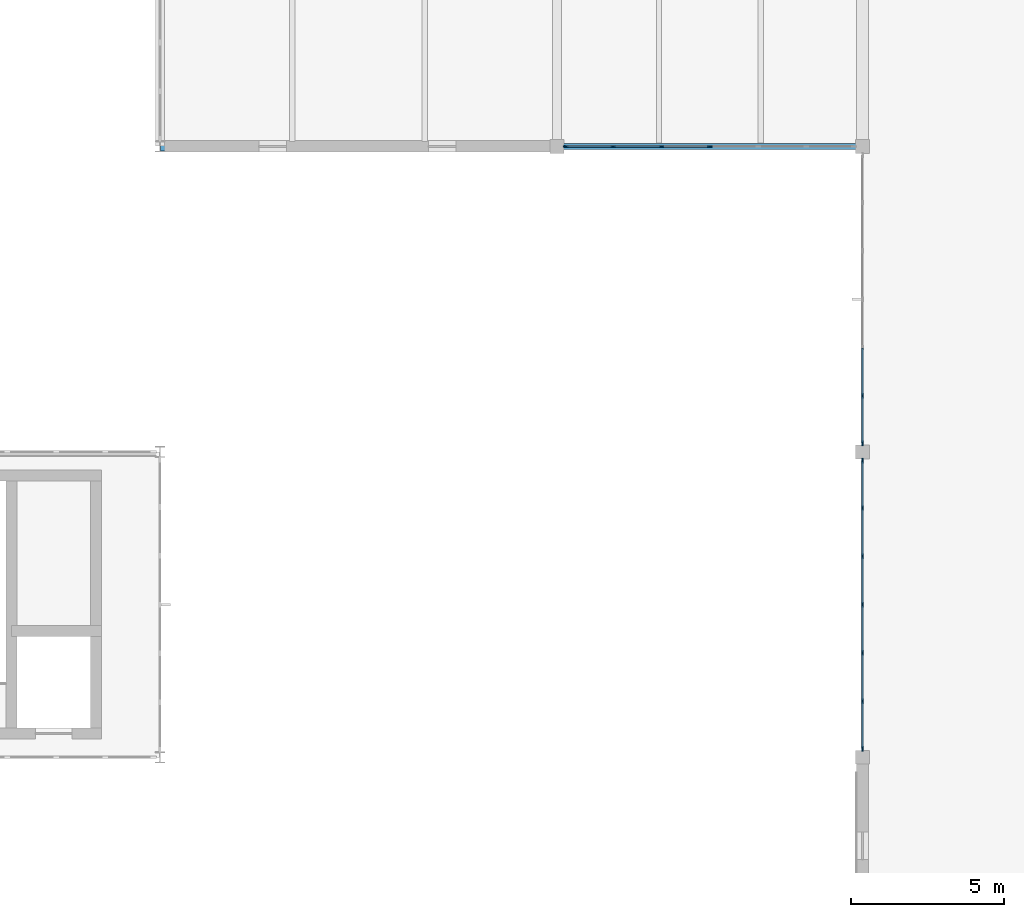
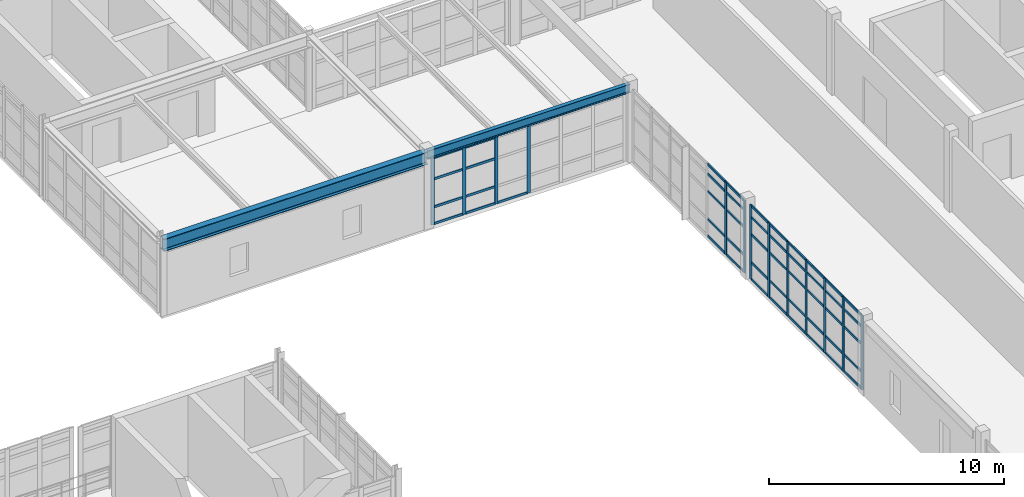
# One storey, part 63 of 122: 62 members, 2 beams, 3 elements without a shape of their own.
"""IFC4 building model written with IfcOpenShell, lengths in metres."""

from ifc_helpers import new_model, si_unit, direction, frame, origin, origin_2d, place, context, subcontext, project, spatial, rectangle, i_section, extrude, material, layer, layer_set, material_profile, profile_set, type_object, element, aggregate, save


model = new_model("IFC4")

# Units and contexts
model_context = context("Model", 3, precision=1e-05, world=origin(), true_north=direction((0.0, 1.0)))
body_context = subcontext(model_context, "Body", "Model", "MODEL_VIEW")
ifc_project = project(units=[si_unit("LENGTHUNIT", "METRE"), si_unit("AREAUNIT", "SQUARE_METRE"), si_unit("VOLUMEUNIT", "CUBIC_METRE"), si_unit("PLANEANGLEUNIT", "RADIAN"), si_unit("MASSUNIT", "GRAM", prefix="KILO"), si_unit("THERMODYNAMICTEMPERATUREUNIT", "KELVIN"), si_unit("POWERUNIT", "WATT")], contexts=[model_context])

# Site, building, storey
site_placement = place(None, origin())
site = spatial("IfcSite", under=ifc_project, at=site_placement, CompositionType="ELEMENT")
building_placement = place(site_placement, origin())
building = spatial("IfcBuilding", under=site, at=building_placement, Name="Korenveer Ferry Terminal", CompositionType="ELEMENT")
storey_placement = place(building_placement, frame((0.0, 0.0, 10.199951171875)))
storey = spatial("IfcBuildingStorey", under=building, at=storey_placement, Name="L02", CompositionType="ELEMENT", Elevation=10.199951171875)

# Curtain wall, members
ifc_material_1 = material(Name="Unitised bronze-and-glass curtain wall", Category="glass")
ifc_layer_1 = layer(ifc_material_1, 0.159912109375)
ifc_layer_set_1 = layer_set([ifc_layer_1], Name="Unitised bronze-and-glass curtain wall")
curtain_wall_type_1 = type_object("IfcCurtainWallType", Name="ENV-CW-89", PredefinedType="USERDEFINED", material=ifc_layer_set_1)
curtain_wall_1_placement = place(storey_placement, frame((136.2548828125, 70.0, 0.0)))
curtain_wall_1 = element("IfcCurtainWall", 1, at=curtain_wall_1_placement, inside=storey, type_object=curtain_wall_type_1, Name="Lancet curtain wall CWX-L02-X136-146-Y70-70", ObjectType="UNITISED CURTAIN WALL", PredefinedType="USERDEFINED")
ifc_material_2 = material(Name="Anodised bronze aluminium", Category="aluminium")
ifc_material_profile_1 = material_profile(ifc_material_2, rectangle(XDim=0.06005859375, YDim=0.159912109375, at=origin_2d()), Name="ALU 60x160")
ifc_profile_set_1 = profile_set([ifc_material_profile_1], Name="Anodised bronze aluminium")
member_type_1 = type_object("IfcMemberType", Name="ENV-CWM-60X160", PredefinedType="MULLION", material=ifc_profile_set_1)
member_1_placement = place(storey_placement, frame((136.284912109375, 70.0, 0.0), z_axis=(0.0, 0.0, 1.0), x_axis=(0.0, 1.0, 0.0)))
member_1 = element("IfcMember", 2, at=member_1_placement, type_object=member_type_1, Name="CW-89 mullion 1", PredefinedType="MULLION", context=body_context, shape_type="SweptSolid", body=[
    extrude(rectangle(XDim=0.06005859375, YDim=0.159912109375, at=origin_2d()), origin(), (0.0, 0.0, 1.0), 3.47998046875),
])
member_2_placement = place(storey_placement, frame((137.836669921875, 70.0, 0.0), z_axis=(0.0, 0.0, 1.0), x_axis=(0.0, 1.0, 0.0)))
member_2 = element("IfcMember", 3, at=member_2_placement, type_object=member_type_1, Name="CW-89 mullion 2", PredefinedType="MULLION", context=body_context, shape_type="SweptSolid", body=[
    extrude(rectangle(XDim=0.06005859375, YDim=0.159912109375, at=origin_2d()), origin(), (0.0, 0.0, 1.0), 3.47998046875),
])
member_3_placement = place(storey_placement, frame((139.418212890625, 70.0, 0.0), z_axis=(0.0, 0.0, 1.0), x_axis=(0.0, 1.0, 0.0)))
member_3 = element("IfcMember", 4, at=member_3_placement, type_object=member_type_1, Name="CW-89 mullion 3", PredefinedType="MULLION", context=body_context, shape_type="SweptSolid", body=[
    extrude(rectangle(XDim=0.06005859375, YDim=0.159912109375, at=origin_2d()), origin(), (0.0, 0.0, 1.0), 3.47998046875),
])
member_4_placement = place(storey_placement, frame((141.0, 70.0, 0.0), z_axis=(0.0, 0.0, 1.0), x_axis=(0.0, 1.0, 0.0)))
member_4 = element("IfcMember", 5, at=member_4_placement, type_object=member_type_1, Name="CW-89 mullion 4", PredefinedType="MULLION", context=body_context, shape_type="SweptSolid", body=[
    extrude(rectangle(XDim=0.06005859375, YDim=0.159912109375, at=origin_2d()), origin(), (0.0, 0.0, 1.0), 3.47998046875),
])

ifc_layer_2 = layer(ifc_material_1, 0.159912109375)
ifc_layer_set_2 = layer_set([ifc_layer_2], Name="Unitised bronze-and-glass curtain wall")
curtain_wall_type_2 = type_object("IfcCurtainWallType", Name="ENV-CW-86", PredefinedType="USERDEFINED", material=ifc_layer_set_2)
curtain_wall_2_placement = place(storey_placement, frame((146.0, 50.2548828125, 0.0)))
curtain_wall_2 = element("IfcCurtainWall", 6, at=curtain_wall_2_placement, inside=storey, type_object=curtain_wall_type_2, Name="Lancet curtain wall CWX-L02-X146-146-Y50-60", ObjectType="UNITISED CURTAIN WALL", PredefinedType="USERDEFINED")
member_5_placement = place(storey_placement, frame((146.0, 50.284912109375, 0.0), z_axis=(0.0, 0.0, 1.0), x_axis=(-1.0, 0.0, 0.0)))
member_5 = element("IfcMember", 7, at=member_5_placement, type_object=member_type_1, Name="CW-86 mullion 1", PredefinedType="MULLION", context=body_context, shape_type="SweptSolid", body=[
    extrude(rectangle(XDim=0.06005859375, YDim=0.159912109375, at=origin_2d()), origin(), (0.0, 0.0, 1.0), 3.860107421875),
])
member_6_placement = place(storey_placement, frame((146.0, 51.836669921875, 0.0), z_axis=(0.0, 0.0, 1.0), x_axis=(-1.0, 0.0, 0.0)))
member_6 = element("IfcMember", 8, at=member_6_placement, type_object=member_type_1, Name="CW-86 mullion 2", PredefinedType="MULLION", context=body_context, shape_type="SweptSolid", body=[
    extrude(rectangle(XDim=0.06005859375, YDim=0.159912109375, at=origin_2d()), origin(), (0.0, 0.0, 1.0), 3.860107421875),
])
member_7_placement = place(storey_placement, frame((146.0, 53.418212890625, 0.0), z_axis=(0.0, 0.0, 1.0), x_axis=(-1.0, 0.0, 0.0)))
member_7 = element("IfcMember", 9, at=member_7_placement, type_object=member_type_1, Name="CW-86 mullion 3", PredefinedType="MULLION", context=body_context, shape_type="SweptSolid", body=[
    extrude(rectangle(XDim=0.06005859375, YDim=0.159912109375, at=origin_2d()), origin(), (0.0, 0.0, 1.0), 3.860107421875),
])
member_8_placement = place(storey_placement, frame((146.0, 55.0, 0.0), z_axis=(0.0, 0.0, 1.0), x_axis=(-1.0, 0.0, 0.0)))
member_8 = element("IfcMember", 10, at=member_8_placement, type_object=member_type_1, Name="CW-86 mullion 4", PredefinedType="MULLION", context=body_context, shape_type="SweptSolid", body=[
    extrude(rectangle(XDim=0.06005859375, YDim=0.159912109375, at=origin_2d()), origin(), (0.0, 0.0, 1.0), 3.860107421875),
])
member_9_placement = place(storey_placement, frame((146.0, 56.581787109375, 0.0), z_axis=(0.0, 0.0, 1.0), x_axis=(-1.0, 0.0, 0.0)))
member_9 = element("IfcMember", 11, at=member_9_placement, type_object=member_type_1, Name="CW-86 mullion 5", PredefinedType="MULLION", context=body_context, shape_type="SweptSolid", body=[
    extrude(rectangle(XDim=0.06005859375, YDim=0.159912109375, at=origin_2d()), origin(), (0.0, 0.0, 1.0), 3.860107421875),
])
member_10_placement = place(storey_placement, frame((146.0, 58.163330078125, 0.0), z_axis=(0.0, 0.0, 1.0), x_axis=(-1.0, 0.0, 0.0)))
member_10 = element("IfcMember", 12, at=member_10_placement, type_object=member_type_1, Name="CW-86 mullion 6", PredefinedType="MULLION", context=body_context, shape_type="SweptSolid", body=[
    extrude(rectangle(XDim=0.06005859375, YDim=0.159912109375, at=origin_2d()), origin(), (0.0, 0.0, 1.0), 3.860107421875),
])
member_11_placement = place(storey_placement, frame((146.0, 59.715087890625, 0.0), z_axis=(0.0, 0.0, 1.0), x_axis=(-1.0, 0.0, 0.0)))
member_11 = element("IfcMember", 13, at=member_11_placement, type_object=member_type_1, Name="CW-86 mullion 7", PredefinedType="MULLION", context=body_context, shape_type="SweptSolid", body=[
    extrude(rectangle(XDim=0.06005859375, YDim=0.159912109375, at=origin_2d()), origin(), (0.0, 0.0, 1.0), 3.860107421875),
])

ifc_layer_3 = layer(ifc_material_1, 0.159912109375)
ifc_layer_set_3 = layer_set([ifc_layer_3], Name="Unitised bronze-and-glass curtain wall")
curtain_wall_type_3 = type_object("IfcCurtainWallType", Name="ENV-CW-87", PredefinedType="USERDEFINED", material=ifc_layer_set_3)
curtain_wall_3_placement = place(storey_placement, frame((146.0, 60.2548828125, 0.0)))
curtain_wall_3 = element("IfcCurtainWall", 14, at=curtain_wall_3_placement, inside=storey, type_object=curtain_wall_type_3, Name="Lancet curtain wall CWX-L02-X146-146-Y60-70", ObjectType="UNITISED CURTAIN WALL", PredefinedType="USERDEFINED")
member_12_placement = place(storey_placement, frame((146.0, 60.284912109375, 0.0), z_axis=(0.0, 0.0, 1.0), x_axis=(-1.0, 0.0, 0.0)))
member_12 = element("IfcMember", 15, at=member_12_placement, type_object=member_type_1, Name="CW-87 mullion 1", PredefinedType="MULLION", context=body_context, shape_type="SweptSolid", body=[
    extrude(rectangle(XDim=0.06005859375, YDim=0.159912109375, at=origin_2d()), origin(), (0.0, 0.0, 1.0), 3.760009765625),
])
member_13_placement = place(storey_placement, frame((146.0, 61.836669921875, 0.0), z_axis=(0.0, 0.0, 1.0), x_axis=(-1.0, 0.0, 0.0)))
member_13 = element("IfcMember", 16, at=member_13_placement, type_object=member_type_1, Name="CW-87 mullion 2", PredefinedType="MULLION", context=body_context, shape_type="SweptSolid", body=[
    extrude(rectangle(XDim=0.06005859375, YDim=0.159912109375, at=origin_2d()), origin(), (0.0, 0.0, 1.0), 3.760009765625),
])

# Member
ifc_material_profile_2 = material_profile(ifc_material_2, rectangle(XDim=0.06005859375, YDim=0.1201171875, at=origin_2d()), Name="ALU 60x120")
ifc_profile_set_2 = profile_set([ifc_material_profile_2], Name="Anodised bronze aluminium")
member_type_2 = type_object("IfcMemberType", Name="ENV-CWT-60X120", PredefinedType="USERDEFINED", material=ifc_profile_set_2)
member_14_placement = place(storey_placement, frame((136.31494140625, 70.0, 0.030029296875), z_axis=(1.0, 0.0, 0.0), x_axis=(0.0, 1.0, 0.0)))
member_14 = element("IfcMember", 17, at=member_14_placement, type_object=member_type_2, Name="CW-89 transom 1.1", ObjectType="TRANSOM", PredefinedType="USERDEFINED", context=body_context, shape_type="SweptSolid", body=[
    extrude(rectangle(XDim=0.06005859375, YDim=0.1201171875, at=origin_2d()), origin(), (0.0, 0.0, 1.0), 1.49169921875),
])

member_15_placement = place(storey_placement, frame((136.31494140625, 70.0, 0.900146484375), z_axis=(1.0, 0.0, 0.0), x_axis=(0.0, 1.0, 0.0)))
member_15 = element("IfcMember", 18, at=member_15_placement, type_object=member_type_2, Name="CW-89 transom 1.2", ObjectType="TRANSOM", PredefinedType="USERDEFINED", context=body_context, shape_type="SweptSolid", body=[
    extrude(rectangle(XDim=0.06005859375, YDim=0.1201171875, at=origin_2d()), origin(), (0.0, 0.0, 1.0), 1.49169921875),
])

member_16_placement = place(storey_placement, frame((136.31494140625, 70.0, 2.35009765625), z_axis=(1.0, 0.0, 0.0), x_axis=(0.0, 1.0, 0.0)))
member_16 = element("IfcMember", 19, at=member_16_placement, type_object=member_type_2, Name="CW-89 transom 1.3", ObjectType="TRANSOM", PredefinedType="USERDEFINED", context=body_context, shape_type="SweptSolid", body=[
    extrude(rectangle(XDim=0.06005859375, YDim=0.1201171875, at=origin_2d()), origin(), (0.0, 0.0, 1.0), 1.49169921875),
])

member_17_placement = place(storey_placement, frame((136.31494140625, 70.0, 3.449951171875), z_axis=(1.0, 0.0, 0.0), x_axis=(0.0, 1.0, 0.0)))
member_17 = element("IfcMember", 20, at=member_17_placement, type_object=member_type_2, Name="CW-89 transom 1.4", ObjectType="TRANSOM", PredefinedType="USERDEFINED", context=body_context, shape_type="SweptSolid", body=[
    extrude(rectangle(XDim=0.06005859375, YDim=0.1201171875, at=origin_2d()), origin(), (0.0, 0.0, 1.0), 1.49169921875),
])

member_18_placement = place(storey_placement, frame((137.86669921875, 70.0, 0.030029296875), z_axis=(1.0, 0.0, 0.0), x_axis=(0.0, 1.0, 0.0)))
member_18 = element("IfcMember", 21, at=member_18_placement, type_object=member_type_2, Name="CW-89 transom 2.1", ObjectType="TRANSOM", PredefinedType="USERDEFINED", context=body_context, shape_type="SweptSolid", body=[
    extrude(rectangle(XDim=0.06005859375, YDim=0.1201171875, at=origin_2d()), origin(), (0.0, 0.0, 1.0), 1.521728515625),
])

member_19_placement = place(storey_placement, frame((137.86669921875, 70.0, 0.900146484375), z_axis=(1.0, 0.0, 0.0), x_axis=(0.0, 1.0, 0.0)))
member_19 = element("IfcMember", 22, at=member_19_placement, type_object=member_type_2, Name="CW-89 transom 2.2", ObjectType="TRANSOM", PredefinedType="USERDEFINED", context=body_context, shape_type="SweptSolid", body=[
    extrude(rectangle(XDim=0.06005859375, YDim=0.1201171875, at=origin_2d()), origin(), (0.0, 0.0, 1.0), 1.521728515625),
])

member_20_placement = place(storey_placement, frame((137.86669921875, 70.0, 2.35009765625), z_axis=(1.0, 0.0, 0.0), x_axis=(0.0, 1.0, 0.0)))
member_20 = element("IfcMember", 23, at=member_20_placement, type_object=member_type_2, Name="CW-89 transom 2.3", ObjectType="TRANSOM", PredefinedType="USERDEFINED", context=body_context, shape_type="SweptSolid", body=[
    extrude(rectangle(XDim=0.06005859375, YDim=0.1201171875, at=origin_2d()), origin(), (0.0, 0.0, 1.0), 1.521728515625),
])

member_21_placement = place(storey_placement, frame((137.86669921875, 70.0, 3.449951171875), z_axis=(1.0, 0.0, 0.0), x_axis=(0.0, 1.0, 0.0)))
member_21 = element("IfcMember", 24, at=member_21_placement, type_object=member_type_2, Name="CW-89 transom 2.4", ObjectType="TRANSOM", PredefinedType="USERDEFINED", context=body_context, shape_type="SweptSolid", body=[
    extrude(rectangle(XDim=0.06005859375, YDim=0.1201171875, at=origin_2d()), origin(), (0.0, 0.0, 1.0), 1.521728515625),
])

member_22_placement = place(storey_placement, frame((139.4482421875, 70.0, 0.030029296875), z_axis=(1.0, 0.0, 0.0), x_axis=(0.0, 1.0, 0.0)))
member_22 = element("IfcMember", 25, at=member_22_placement, type_object=member_type_2, Name="CW-89 transom 3.1", ObjectType="TRANSOM", PredefinedType="USERDEFINED", context=body_context, shape_type="SweptSolid", body=[
    extrude(rectangle(XDim=0.06005859375, YDim=0.1201171875, at=origin_2d()), origin(), (0.0, 0.0, 1.0), 1.521728515625),
])

aggregate(curtain_wall_1, [member_1, member_2, member_3, member_4, member_14, member_15, member_16, member_17, member_18, member_19, member_20, member_21, member_22])

member_23_placement = place(storey_placement, frame((146.0, 50.31494140625, 0.030029296875), z_axis=(0.0, 1.0, 0.0), x_axis=(-1.0, 0.0, 0.0)))
member_23 = element("IfcMember", 26, at=member_23_placement, type_object=member_type_2, Name="CW-86 transom 1.1", ObjectType="TRANSOM", PredefinedType="USERDEFINED", context=body_context, shape_type="SweptSolid", body=[
    extrude(rectangle(XDim=0.06005859375, YDim=0.1201171875, at=origin_2d()), origin(), (0.0, 0.0, 1.0), 1.49169921875),
])

member_24_placement = place(storey_placement, frame((146.0, 50.31494140625, 0.900146484375), z_axis=(0.0, 1.0, 0.0), x_axis=(-1.0, 0.0, 0.0)))
member_24 = element("IfcMember", 27, at=member_24_placement, type_object=member_type_2, Name="CW-86 transom 1.2", ObjectType="TRANSOM", PredefinedType="USERDEFINED", context=body_context, shape_type="SweptSolid", body=[
    extrude(rectangle(XDim=0.06005859375, YDim=0.1201171875, at=origin_2d()), origin(), (0.0, 0.0, 1.0), 1.49169921875),
])

member_25_placement = place(storey_placement, frame((146.0, 50.31494140625, 2.35009765625), z_axis=(0.0, 1.0, 0.0), x_axis=(-1.0, 0.0, 0.0)))
member_25 = element("IfcMember", 28, at=member_25_placement, type_object=member_type_2, Name="CW-86 transom 1.3", ObjectType="TRANSOM", PredefinedType="USERDEFINED", context=body_context, shape_type="SweptSolid", body=[
    extrude(rectangle(XDim=0.06005859375, YDim=0.1201171875, at=origin_2d()), origin(), (0.0, 0.0, 1.0), 1.49169921875),
])

member_26_placement = place(storey_placement, frame((146.0, 50.31494140625, 3.25), z_axis=(0.0, 1.0, 0.0), x_axis=(-1.0, 0.0, 0.0)))
member_26 = element("IfcMember", 29, at=member_26_placement, type_object=member_type_2, Name="CW-86 transom 1.4", ObjectType="TRANSOM", PredefinedType="USERDEFINED", context=body_context, shape_type="SweptSolid", body=[
    extrude(rectangle(XDim=0.06005859375, YDim=0.1201171875, at=origin_2d()), origin(), (0.0, 0.0, 1.0), 1.49169921875),
])

member_27_placement = place(storey_placement, frame((146.0, 50.31494140625, 3.830078125), z_axis=(0.0, 1.0, 0.0), x_axis=(-1.0, 0.0, 0.0)))
member_27 = element("IfcMember", 30, at=member_27_placement, type_object=member_type_2, Name="CW-86 transom 1.5", ObjectType="TRANSOM", PredefinedType="USERDEFINED", context=body_context, shape_type="SweptSolid", body=[
    extrude(rectangle(XDim=0.06005859375, YDim=0.1201171875, at=origin_2d()), origin(), (0.0, 0.0, 1.0), 1.49169921875),
])

member_28_placement = place(storey_placement, frame((146.0, 51.86669921875, 0.030029296875), z_axis=(0.0, 1.0, 0.0), x_axis=(-1.0, 0.0, 0.0)))
member_28 = element("IfcMember", 31, at=member_28_placement, type_object=member_type_2, Name="CW-86 transom 2.1", ObjectType="TRANSOM", PredefinedType="USERDEFINED", context=body_context, shape_type="SweptSolid", body=[
    extrude(rectangle(XDim=0.06005859375, YDim=0.1201171875, at=origin_2d()), origin(), (0.0, 0.0, 1.0), 1.521728515625),
])

member_29_placement = place(storey_placement, frame((146.0, 51.86669921875, 0.900146484375), z_axis=(0.0, 1.0, 0.0), x_axis=(-1.0, 0.0, 0.0)))
member_29 = element("IfcMember", 32, at=member_29_placement, type_object=member_type_2, Name="CW-86 transom 2.2", ObjectType="TRANSOM", PredefinedType="USERDEFINED", context=body_context, shape_type="SweptSolid", body=[
    extrude(rectangle(XDim=0.06005859375, YDim=0.1201171875, at=origin_2d()), origin(), (0.0, 0.0, 1.0), 1.521728515625),
])

member_30_placement = place(storey_placement, frame((146.0, 51.86669921875, 2.35009765625), z_axis=(0.0, 1.0, 0.0), x_axis=(-1.0, 0.0, 0.0)))
member_30 = element("IfcMember", 33, at=member_30_placement, type_object=member_type_2, Name="CW-86 transom 2.3", ObjectType="TRANSOM", PredefinedType="USERDEFINED", context=body_context, shape_type="SweptSolid", body=[
    extrude(rectangle(XDim=0.06005859375, YDim=0.1201171875, at=origin_2d()), origin(), (0.0, 0.0, 1.0), 1.521728515625),
])

member_31_placement = place(storey_placement, frame((146.0, 51.86669921875, 3.25), z_axis=(0.0, 1.0, 0.0), x_axis=(-1.0, 0.0, 0.0)))
member_31 = element("IfcMember", 34, at=member_31_placement, type_object=member_type_2, Name="CW-86 transom 2.4", ObjectType="TRANSOM", PredefinedType="USERDEFINED", context=body_context, shape_type="SweptSolid", body=[
    extrude(rectangle(XDim=0.06005859375, YDim=0.1201171875, at=origin_2d()), origin(), (0.0, 0.0, 1.0), 1.521728515625),
])

member_32_placement = place(storey_placement, frame((146.0, 51.86669921875, 3.830078125), z_axis=(0.0, 1.0, 0.0), x_axis=(-1.0, 0.0, 0.0)))
member_32 = element("IfcMember", 35, at=member_32_placement, type_object=member_type_2, Name="CW-86 transom 2.5", ObjectType="TRANSOM", PredefinedType="USERDEFINED", context=body_context, shape_type="SweptSolid", body=[
    extrude(rectangle(XDim=0.06005859375, YDim=0.1201171875, at=origin_2d()), origin(), (0.0, 0.0, 1.0), 1.521728515625),
])

member_33_placement = place(storey_placement, frame((146.0, 53.4482421875, 0.030029296875), z_axis=(0.0, 1.0, 0.0), x_axis=(-1.0, 0.0, 0.0)))
member_33 = element("IfcMember", 36, at=member_33_placement, type_object=member_type_2, Name="CW-86 transom 3.1", ObjectType="TRANSOM", PredefinedType="USERDEFINED", context=body_context, shape_type="SweptSolid", body=[
    extrude(rectangle(XDim=0.06005859375, YDim=0.1201171875, at=origin_2d()), origin(), (0.0, 0.0, 1.0), 1.521728515625),
])

member_34_placement = place(storey_placement, frame((146.0, 53.4482421875, 0.900146484375), z_axis=(0.0, 1.0, 0.0), x_axis=(-1.0, 0.0, 0.0)))
member_34 = element("IfcMember", 37, at=member_34_placement, type_object=member_type_2, Name="CW-86 transom 3.2", ObjectType="TRANSOM", PredefinedType="USERDEFINED", context=body_context, shape_type="SweptSolid", body=[
    extrude(rectangle(XDim=0.06005859375, YDim=0.1201171875, at=origin_2d()), origin(), (0.0, 0.0, 1.0), 1.521728515625),
])

member_35_placement = place(storey_placement, frame((146.0, 53.4482421875, 2.35009765625), z_axis=(0.0, 1.0, 0.0), x_axis=(-1.0, 0.0, 0.0)))
member_35 = element("IfcMember", 38, at=member_35_placement, type_object=member_type_2, Name="CW-86 transom 3.3", ObjectType="TRANSOM", PredefinedType="USERDEFINED", context=body_context, shape_type="SweptSolid", body=[
    extrude(rectangle(XDim=0.06005859375, YDim=0.1201171875, at=origin_2d()), origin(), (0.0, 0.0, 1.0), 1.521728515625),
])

member_36_placement = place(storey_placement, frame((146.0, 53.4482421875, 3.25), z_axis=(0.0, 1.0, 0.0), x_axis=(-1.0, 0.0, 0.0)))
member_36 = element("IfcMember", 39, at=member_36_placement, type_object=member_type_2, Name="CW-86 transom 3.4", ObjectType="TRANSOM", PredefinedType="USERDEFINED", context=body_context, shape_type="SweptSolid", body=[
    extrude(rectangle(XDim=0.06005859375, YDim=0.1201171875, at=origin_2d()), origin(), (0.0, 0.0, 1.0), 1.521728515625),
])

member_37_placement = place(storey_placement, frame((146.0, 53.4482421875, 3.830078125), z_axis=(0.0, 1.0, 0.0), x_axis=(-1.0, 0.0, 0.0)))
member_37 = element("IfcMember", 40, at=member_37_placement, type_object=member_type_2, Name="CW-86 transom 3.5", ObjectType="TRANSOM", PredefinedType="USERDEFINED", context=body_context, shape_type="SweptSolid", body=[
    extrude(rectangle(XDim=0.06005859375, YDim=0.1201171875, at=origin_2d()), origin(), (0.0, 0.0, 1.0), 1.521728515625),
])

member_38_placement = place(storey_placement, frame((146.0, 55.030029296875, 0.030029296875), z_axis=(0.0, 1.0, 0.0), x_axis=(-1.0, 0.0, 0.0)))
member_38 = element("IfcMember", 41, at=member_38_placement, type_object=member_type_2, Name="CW-86 transom 4.1", ObjectType="TRANSOM", PredefinedType="USERDEFINED", context=body_context, shape_type="SweptSolid", body=[
    extrude(rectangle(XDim=0.06005859375, YDim=0.1201171875, at=origin_2d()), origin(), (0.0, 0.0, 1.0), 1.521728515625),
])

member_39_placement = place(storey_placement, frame((146.0, 55.030029296875, 0.900146484375), z_axis=(0.0, 1.0, 0.0), x_axis=(-1.0, 0.0, 0.0)))
member_39 = element("IfcMember", 42, at=member_39_placement, type_object=member_type_2, Name="CW-86 transom 4.2", ObjectType="TRANSOM", PredefinedType="USERDEFINED", context=body_context, shape_type="SweptSolid", body=[
    extrude(rectangle(XDim=0.06005859375, YDim=0.1201171875, at=origin_2d()), origin(), (0.0, 0.0, 1.0), 1.521728515625),
])

member_40_placement = place(storey_placement, frame((146.0, 55.030029296875, 2.35009765625), z_axis=(0.0, 1.0, 0.0), x_axis=(-1.0, 0.0, 0.0)))
member_40 = element("IfcMember", 43, at=member_40_placement, type_object=member_type_2, Name="CW-86 transom 4.3", ObjectType="TRANSOM", PredefinedType="USERDEFINED", context=body_context, shape_type="SweptSolid", body=[
    extrude(rectangle(XDim=0.06005859375, YDim=0.1201171875, at=origin_2d()), origin(), (0.0, 0.0, 1.0), 1.521728515625),
])

member_41_placement = place(storey_placement, frame((146.0, 55.030029296875, 3.25), z_axis=(0.0, 1.0, 0.0), x_axis=(-1.0, 0.0, 0.0)))
member_41 = element("IfcMember", 44, at=member_41_placement, type_object=member_type_2, Name="CW-86 transom 4.4", ObjectType="TRANSOM", PredefinedType="USERDEFINED", context=body_context, shape_type="SweptSolid", body=[
    extrude(rectangle(XDim=0.06005859375, YDim=0.1201171875, at=origin_2d()), origin(), (0.0, 0.0, 1.0), 1.521728515625),
])

member_42_placement = place(storey_placement, frame((146.0, 55.030029296875, 3.830078125), z_axis=(0.0, 1.0, 0.0), x_axis=(-1.0, 0.0, 0.0)))
member_42 = element("IfcMember", 45, at=member_42_placement, type_object=member_type_2, Name="CW-86 transom 4.5", ObjectType="TRANSOM", PredefinedType="USERDEFINED", context=body_context, shape_type="SweptSolid", body=[
    extrude(rectangle(XDim=0.06005859375, YDim=0.1201171875, at=origin_2d()), origin(), (0.0, 0.0, 1.0), 1.521728515625),
])

member_43_placement = place(storey_placement, frame((146.0, 56.611572265625, 0.030029296875), z_axis=(0.0, 1.0, 0.0), x_axis=(-1.0, 0.0, 0.0)))
member_43 = element("IfcMember", 46, at=member_43_placement, type_object=member_type_2, Name="CW-86 transom 5.1", ObjectType="TRANSOM", PredefinedType="USERDEFINED", context=body_context, shape_type="SweptSolid", body=[
    extrude(rectangle(XDim=0.06005859375, YDim=0.1201171875, at=origin_2d()), origin(), (0.0, 0.0, 1.0), 1.521728515625),
])

member_44_placement = place(storey_placement, frame((146.0, 56.611572265625, 0.900146484375), z_axis=(0.0, 1.0, 0.0), x_axis=(-1.0, 0.0, 0.0)))
member_44 = element("IfcMember", 47, at=member_44_placement, type_object=member_type_2, Name="CW-86 transom 5.2", ObjectType="TRANSOM", PredefinedType="USERDEFINED", context=body_context, shape_type="SweptSolid", body=[
    extrude(rectangle(XDim=0.06005859375, YDim=0.1201171875, at=origin_2d()), origin(), (0.0, 0.0, 1.0), 1.521728515625),
])

member_45_placement = place(storey_placement, frame((146.0, 56.611572265625, 2.35009765625), z_axis=(0.0, 1.0, 0.0), x_axis=(-1.0, 0.0, 0.0)))
member_45 = element("IfcMember", 48, at=member_45_placement, type_object=member_type_2, Name="CW-86 transom 5.3", ObjectType="TRANSOM", PredefinedType="USERDEFINED", context=body_context, shape_type="SweptSolid", body=[
    extrude(rectangle(XDim=0.06005859375, YDim=0.1201171875, at=origin_2d()), origin(), (0.0, 0.0, 1.0), 1.521728515625),
])

member_46_placement = place(storey_placement, frame((146.0, 56.611572265625, 3.25), z_axis=(0.0, 1.0, 0.0), x_axis=(-1.0, 0.0, 0.0)))
member_46 = element("IfcMember", 49, at=member_46_placement, type_object=member_type_2, Name="CW-86 transom 5.4", ObjectType="TRANSOM", PredefinedType="USERDEFINED", context=body_context, shape_type="SweptSolid", body=[
    extrude(rectangle(XDim=0.06005859375, YDim=0.1201171875, at=origin_2d()), origin(), (0.0, 0.0, 1.0), 1.521728515625),
])

member_47_placement = place(storey_placement, frame((146.0, 56.611572265625, 3.830078125), z_axis=(0.0, 1.0, 0.0), x_axis=(-1.0, 0.0, 0.0)))
member_47 = element("IfcMember", 50, at=member_47_placement, type_object=member_type_2, Name="CW-86 transom 5.5", ObjectType="TRANSOM", PredefinedType="USERDEFINED", context=body_context, shape_type="SweptSolid", body=[
    extrude(rectangle(XDim=0.06005859375, YDim=0.1201171875, at=origin_2d()), origin(), (0.0, 0.0, 1.0), 1.521728515625),
])

member_48_placement = place(storey_placement, frame((146.0, 58.193359375, 0.030029296875), z_axis=(0.0, 1.0, 0.0), x_axis=(-1.0, 0.0, 0.0)))
member_48 = element("IfcMember", 51, at=member_48_placement, type_object=member_type_2, Name="CW-86 transom 6.1", ObjectType="TRANSOM", PredefinedType="USERDEFINED", context=body_context, shape_type="SweptSolid", body=[
    extrude(rectangle(XDim=0.06005859375, YDim=0.1201171875, at=origin_2d()), origin(), (0.0, 0.0, 1.0), 1.49169921875),
])

member_49_placement = place(storey_placement, frame((146.0, 58.193359375, 0.900146484375), z_axis=(0.0, 1.0, 0.0), x_axis=(-1.0, 0.0, 0.0)))
member_49 = element("IfcMember", 52, at=member_49_placement, type_object=member_type_2, Name="CW-86 transom 6.2", ObjectType="TRANSOM", PredefinedType="USERDEFINED", context=body_context, shape_type="SweptSolid", body=[
    extrude(rectangle(XDim=0.06005859375, YDim=0.1201171875, at=origin_2d()), origin(), (0.0, 0.0, 1.0), 1.49169921875),
])

member_50_placement = place(storey_placement, frame((146.0, 58.193359375, 2.35009765625), z_axis=(0.0, 1.0, 0.0), x_axis=(-1.0, 0.0, 0.0)))
member_50 = element("IfcMember", 53, at=member_50_placement, type_object=member_type_2, Name="CW-86 transom 6.3", ObjectType="TRANSOM", PredefinedType="USERDEFINED", context=body_context, shape_type="SweptSolid", body=[
    extrude(rectangle(XDim=0.06005859375, YDim=0.1201171875, at=origin_2d()), origin(), (0.0, 0.0, 1.0), 1.49169921875),
])

member_51_placement = place(storey_placement, frame((146.0, 58.193359375, 3.25), z_axis=(0.0, 1.0, 0.0), x_axis=(-1.0, 0.0, 0.0)))
member_51 = element("IfcMember", 54, at=member_51_placement, type_object=member_type_2, Name="CW-86 transom 6.4", ObjectType="TRANSOM", PredefinedType="USERDEFINED", context=body_context, shape_type="SweptSolid", body=[
    extrude(rectangle(XDim=0.06005859375, YDim=0.1201171875, at=origin_2d()), origin(), (0.0, 0.0, 1.0), 1.49169921875),
])

member_52_placement = place(storey_placement, frame((146.0, 58.193359375, 3.830078125), z_axis=(0.0, 1.0, 0.0), x_axis=(-1.0, 0.0, 0.0)))
member_52 = element("IfcMember", 55, at=member_52_placement, type_object=member_type_2, Name="CW-86 transom 6.5", ObjectType="TRANSOM", PredefinedType="USERDEFINED", context=body_context, shape_type="SweptSolid", body=[
    extrude(rectangle(XDim=0.06005859375, YDim=0.1201171875, at=origin_2d()), origin(), (0.0, 0.0, 1.0), 1.49169921875),
])

aggregate(curtain_wall_2, [member_5, member_6, member_7, member_8, member_9, member_10, member_11, member_23, member_24, member_25, member_26, member_27, member_28, member_29, member_30, member_31, member_32, member_33, member_34, member_35, member_36, member_37, member_38, member_39, member_40, member_41, member_42, member_43, member_44, member_45, member_46, member_47, member_48, member_49, member_50, member_51, member_52])

member_53_placement = place(storey_placement, frame((146.0, 60.31494140625, 0.030029296875), z_axis=(0.0, 1.0, 0.0), x_axis=(-1.0, 0.0, 0.0)))
member_53 = element("IfcMember", 56, at=member_53_placement, type_object=member_type_2, Name="CW-87 transom 1.1", ObjectType="TRANSOM", PredefinedType="USERDEFINED", context=body_context, shape_type="SweptSolid", body=[
    extrude(rectangle(XDim=0.06005859375, YDim=0.1201171875, at=origin_2d()), origin(), (0.0, 0.0, 1.0), 1.49169921875),
])

member_54_placement = place(storey_placement, frame((146.0, 60.31494140625, 0.900146484375), z_axis=(0.0, 1.0, 0.0), x_axis=(-1.0, 0.0, 0.0)))
member_54 = element("IfcMember", 57, at=member_54_placement, type_object=member_type_2, Name="CW-87 transom 1.2", ObjectType="TRANSOM", PredefinedType="USERDEFINED", context=body_context, shape_type="SweptSolid", body=[
    extrude(rectangle(XDim=0.06005859375, YDim=0.1201171875, at=origin_2d()), origin(), (0.0, 0.0, 1.0), 1.49169921875),
])

member_55_placement = place(storey_placement, frame((146.0, 60.31494140625, 2.35009765625), z_axis=(0.0, 1.0, 0.0), x_axis=(-1.0, 0.0, 0.0)))
member_55 = element("IfcMember", 58, at=member_55_placement, type_object=member_type_2, Name="CW-87 transom 1.3", ObjectType="TRANSOM", PredefinedType="USERDEFINED", context=body_context, shape_type="SweptSolid", body=[
    extrude(rectangle(XDim=0.06005859375, YDim=0.1201171875, at=origin_2d()), origin(), (0.0, 0.0, 1.0), 1.49169921875),
])

member_56_placement = place(storey_placement, frame((146.0, 60.31494140625, 3.25), z_axis=(0.0, 1.0, 0.0), x_axis=(-1.0, 0.0, 0.0)))
member_56 = element("IfcMember", 59, at=member_56_placement, type_object=member_type_2, Name="CW-87 transom 1.4", ObjectType="TRANSOM", PredefinedType="USERDEFINED", context=body_context, shape_type="SweptSolid", body=[
    extrude(rectangle(XDim=0.06005859375, YDim=0.1201171875, at=origin_2d()), origin(), (0.0, 0.0, 1.0), 1.49169921875),
])

member_57_placement = place(storey_placement, frame((146.0, 60.31494140625, 3.72998046875), z_axis=(0.0, 1.0, 0.0), x_axis=(-1.0, 0.0, 0.0)))
member_57 = element("IfcMember", 60, at=member_57_placement, type_object=member_type_2, Name="CW-87 transom 1.5", ObjectType="TRANSOM", PredefinedType="USERDEFINED", context=body_context, shape_type="SweptSolid", body=[
    extrude(rectangle(XDim=0.06005859375, YDim=0.1201171875, at=origin_2d()), origin(), (0.0, 0.0, 1.0), 1.49169921875),
])

member_58_placement = place(storey_placement, frame((146.0, 61.86669921875, 0.030029296875), z_axis=(0.0, 1.0, 0.0), x_axis=(-1.0, 0.0, 0.0)))
member_58 = element("IfcMember", 61, at=member_58_placement, type_object=member_type_2, Name="CW-87 transom 2.1", ObjectType="TRANSOM", PredefinedType="USERDEFINED", context=body_context, shape_type="SweptSolid", body=[
    extrude(rectangle(XDim=0.06005859375, YDim=0.1201171875, at=origin_2d()), origin(), (0.0, 0.0, 1.0), 1.521728515625),
])

member_59_placement = place(storey_placement, frame((146.0, 61.86669921875, 0.900146484375), z_axis=(0.0, 1.0, 0.0), x_axis=(-1.0, 0.0, 0.0)))
member_59 = element("IfcMember", 62, at=member_59_placement, type_object=member_type_2, Name="CW-87 transom 2.2", ObjectType="TRANSOM", PredefinedType="USERDEFINED", context=body_context, shape_type="SweptSolid", body=[
    extrude(rectangle(XDim=0.06005859375, YDim=0.1201171875, at=origin_2d()), origin(), (0.0, 0.0, 1.0), 1.521728515625),
])

member_60_placement = place(storey_placement, frame((146.0, 61.86669921875, 2.35009765625), z_axis=(0.0, 1.0, 0.0), x_axis=(-1.0, 0.0, 0.0)))
member_60 = element("IfcMember", 63, at=member_60_placement, type_object=member_type_2, Name="CW-87 transom 2.3", ObjectType="TRANSOM", PredefinedType="USERDEFINED", context=body_context, shape_type="SweptSolid", body=[
    extrude(rectangle(XDim=0.06005859375, YDim=0.1201171875, at=origin_2d()), origin(), (0.0, 0.0, 1.0), 1.521728515625),
])

member_61_placement = place(storey_placement, frame((146.0, 61.86669921875, 3.25), z_axis=(0.0, 1.0, 0.0), x_axis=(-1.0, 0.0, 0.0)))
member_61 = element("IfcMember", 64, at=member_61_placement, type_object=member_type_2, Name="CW-87 transom 2.4", ObjectType="TRANSOM", PredefinedType="USERDEFINED", context=body_context, shape_type="SweptSolid", body=[
    extrude(rectangle(XDim=0.06005859375, YDim=0.1201171875, at=origin_2d()), origin(), (0.0, 0.0, 1.0), 1.521728515625),
])

member_62_placement = place(storey_placement, frame((146.0, 61.86669921875, 3.72998046875), z_axis=(0.0, 1.0, 0.0), x_axis=(-1.0, 0.0, 0.0)))
member_62 = element("IfcMember", 65, at=member_62_placement, type_object=member_type_2, Name="CW-87 transom 2.5", ObjectType="TRANSOM", PredefinedType="USERDEFINED", context=body_context, shape_type="SweptSolid", body=[
    extrude(rectangle(XDim=0.06005859375, YDim=0.1201171875, at=origin_2d()), origin(), (0.0, 0.0, 1.0), 1.521728515625),
])

aggregate(curtain_wall_3, [member_12, member_13, member_53, member_54, member_55, member_56, member_57, member_58, member_59, member_60, member_61, member_62])

# Beams
ifc_material_3 = material(Name="Steel S355", Category="steel")
ifc_material_profile_3 = material_profile(ifc_material_3, i_section(OverallWidth=0.300048828125, OverallDepth=0.64990234375, WebThickness=0.01611328125, FlangeThickness=0.031005859375, FilletRadius=0.027099609375, at=origin_2d()), Name="HEB 650")
ifc_profile_set_3 = profile_set([ifc_material_profile_3], Name="Steel S355")
beam_type_1 = type_object("IfcBeamType", Name="STR-BM-HEB650", PredefinedType="BEAM", material=ifc_profile_set_3)
beam_1_placement = place(storey_placement, frame((123.02001953125, 70.0, 3.635009765625), z_axis=(1.0, 0.0, 0.0), x_axis=(0.0, 1.0, 0.0)))
element("IfcBeam", 66, at=beam_1_placement, inside=storey, type_object=beam_type_1, Name="Primary X girder BMX-L03-X123-136-Y70", PredefinedType="BEAM", context=body_context, shape_type="SweptSolid", body=[
    extrude(i_section(OverallWidth=0.300048828125, OverallDepth=0.64990234375, WebThickness=0.01611328125, FlangeThickness=0.031005859375, FilletRadius=0.027099609375, at=origin_2d()), origin(), (0.0, 0.0, 1.0), 12.9599609375),
])
ifc_material_profile_4 = material_profile(ifc_material_3, i_section(OverallWidth=0.18994140625, OverallDepth=0.449951171875, WebThickness=0.009521484375, FlangeThickness=0.0146484375, FilletRadius=0.02099609375, at=origin_2d()), Name="IPE 450")
ifc_profile_set_4 = profile_set([ifc_material_profile_4], Name="Steel S355")
beam_type_2 = type_object("IfcBeamType", Name="STR-BM-IPE450", PredefinedType="BEAM", material=ifc_profile_set_4)
beam_2_placement = place(storey_placement, frame((136.02001953125, 70.0, 3.735107421875), z_axis=(1.0, 0.0, 0.0), x_axis=(0.0, 1.0, 0.0)))
element("IfcBeam", 67, at=beam_2_placement, inside=storey, type_object=beam_type_2, Name="Primary X girder BMX-L03-X136-146-Y70", PredefinedType="BEAM", context=body_context, shape_type="SweptSolid", body=[
    extrude(i_section(OverallWidth=0.18994140625, OverallDepth=0.449951171875, WebThickness=0.009521484375, FlangeThickness=0.0146484375, FilletRadius=0.02099609375, at=origin_2d()), origin(), (0.0, 0.0, 1.0), 9.9599609375),
])

save(model, "model.ifc")
